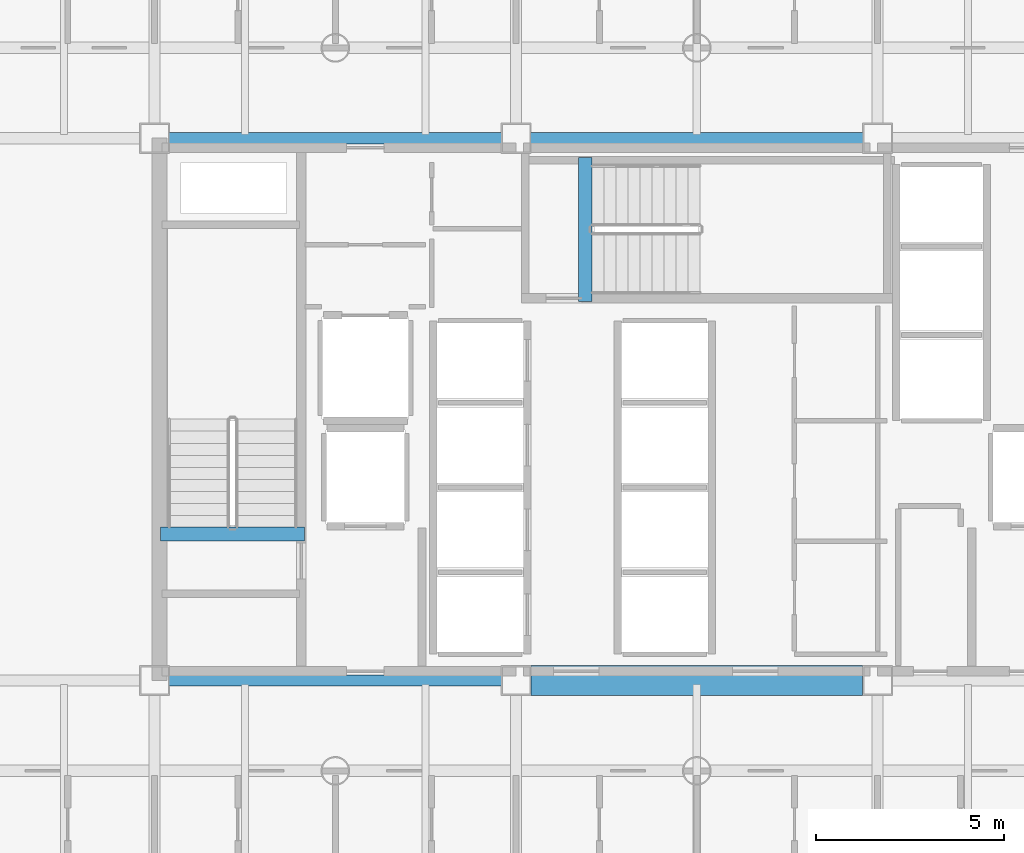
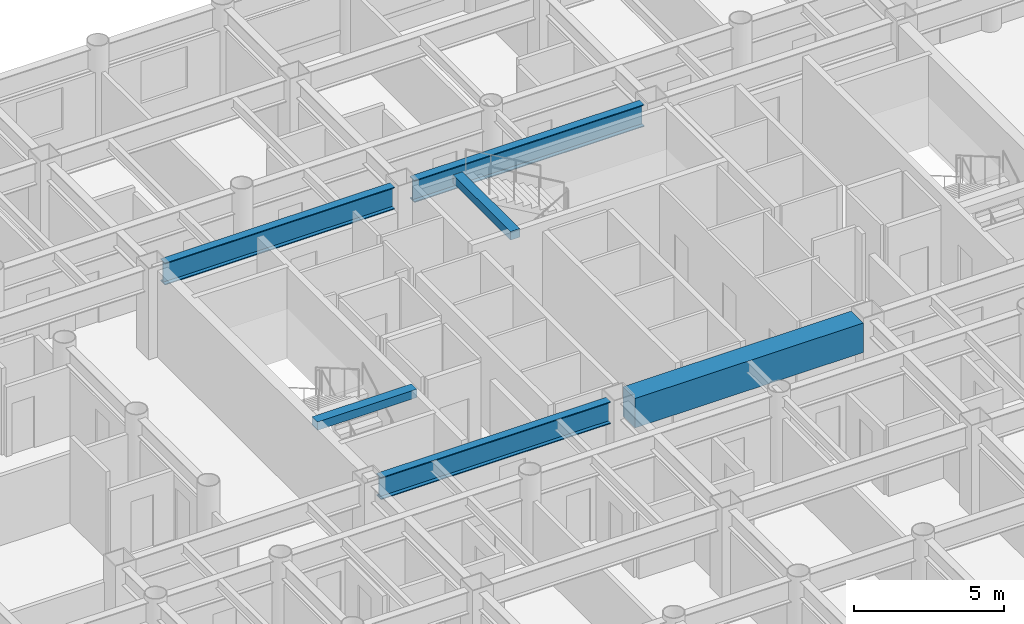
# One storey, part 5 of 21: 6 beams.
"""IFC4 building model written with IfcOpenShell, lengths in metres."""

from ifc_helpers import new_model, si_unit, direction, frame, origin, origin_2d, place, context, subcontext, project, spatial, rectangle, i_section, extrude, material, material_profile, profile_set, type_object, element, save


model = new_model("IFC4")

# Units and contexts
model_context = context("Model", 3, precision=1e-05, world=origin(), true_north=direction((0.0, 1.0)))
body_context = subcontext(model_context, "Body", "Model", "MODEL_VIEW")
ifc_project = project(units=[si_unit("LENGTHUNIT", "METRE"), si_unit("AREAUNIT", "SQUARE_METRE"), si_unit("VOLUMEUNIT", "CUBIC_METRE"), si_unit("PLANEANGLEUNIT", "RADIAN"), si_unit("MASSUNIT", "GRAM", prefix="KILO")], contexts=[model_context])

# Site, building, storey
site_placement = place(None, origin())
site = spatial("IfcSite", under=ifc_project, at=site_placement, CompositionType="ELEMENT")
building_placement = place(site_placement, origin())
building = spatial("IfcBuilding", under=site, at=building_placement, Name="Kallvorn Hotel Tower", CompositionType="ELEMENT")
storey_placement = place(building_placement, frame((0.0, 0.0, 81.800048828125)))
storey = spatial("IfcBuildingStorey", under=building, at=storey_placement, Name="L19", CompositionType="ELEMENT", Elevation=81.800048828125)

# Beams
ifc_material_1 = material(Name="Structural steel S355JR", Category="steel")
ifc_material_profile_1 = material_profile(ifc_material_1, i_section(OverallWidth=0.300048828125, OverallDepth=0.89990234375, WebThickness=0.0185546875, FlangeThickness=0.034912109375, at=origin_2d()), Name="HE 900 B")
ifc_profile_set_1 = profile_set([ifc_material_profile_1], Name="Structural steel S355JR")
beam_type_1 = type_object("IfcBeamType", Name="BM_HE900B", PredefinedType="BEAM", material=ifc_profile_set_1)
for number, where, z_axis, x_axis, name in (
    (1, (-14.02490234375, -7.199951171875, 3.070068359375), (1.0, 0.0, 0.0), (0.0, 1.0, 0.0), "L20 Primary X-Girder 34"),
    (2, (-14.02490234375, 7.199951171875, 3.070068359375), (1.0, 0.0, 0.0), (0.0, 1.0, 0.0), "L20 Primary X-Girder 38"),
):
    element("IfcBeam", number, at=place(storey_placement, frame(where, z_axis=z_axis, x_axis=x_axis)), inside=storey, type_object=beam_type_1, Name=name, PredefinedType="BEAM", context=body_context, shape_type="SweptSolid", body=[
        extrude(i_section(OverallWidth=0.300048828125, OverallDepth=0.89990234375, WebThickness=0.0185546875, FlangeThickness=0.034912109375, at=origin_2d()), origin(), (0.0, 0.0, 1.0), 8.849853515625),
    ])
beam_1_placement = place(storey_placement, frame((-4.425048828125, 7.199951171875, 3.070068359375), z_axis=(1.0, 0.0, 0.0), x_axis=(0.0, 1.0, 0.0)))
element("IfcBeam", 3, at=beam_1_placement, inside=storey, type_object=beam_type_1, Name="L20 Primary X-Girder 39", PredefinedType="BEAM", context=body_context, shape_type="SweptSolid", body=[
    extrude(i_section(OverallWidth=0.300048828125, OverallDepth=0.89990234375, WebThickness=0.0185546875, FlangeThickness=0.034912109375, at=origin_2d()), origin(), (0.0, 0.0, 1.0), 8.85009765625),
])
ifc_material_2 = material(Name="Concrete C50/60", Category="concrete")
ifc_material_profile_2 = material_profile(ifc_material_2, rectangle(XDim=0.360107421875, YDim=0.340087890625, at=origin_2d()), Name="RC 360x340")
ifc_profile_set_2 = profile_set([ifc_material_profile_2], Name="Concrete C50/60")
beam_type_2 = type_object("IfcBeamType", Name="BM_RC_400x360", PredefinedType="BEAM", material=ifc_profile_set_2)
beam_2_placement = place(storey_placement, frame((-10.419921875, -3.31005859375, 3.349853515625), z_axis=(-1.0, 0.0, 0.0), x_axis=(0.0, -1.0, 0.0)))
element("IfcBeam", 4, at=beam_2_placement, inside=storey, type_object=beam_type_2, Name="L20 Stair ST1 Arrival Trimmer Beam", PredefinedType="BEAM", context=body_context, shape_type="SweptSolid", body=[
    extrude(rectangle(XDim=0.360107421875, YDim=0.340087890625, at=origin_2d()), origin(), (0.0, 0.0, 1.0), 3.820068359375),
])
beam_3_placement = place(storey_placement, frame((-2.9599609375, 2.8701171875, 3.349853515625), z_axis=(0.0, 1.0, 0.0), x_axis=(-1.0, 0.0, 0.0)))
element("IfcBeam", 5, at=beam_3_placement, inside=storey, type_object=beam_type_2, Name="L20 Stair ST3 Arrival Trimmer Beam", PredefinedType="BEAM", context=body_context, shape_type="SweptSolid", body=[
    extrude(rectangle(XDim=0.360107421875, YDim=0.340087890625, at=origin_2d()), origin(), (0.0, 0.0, 1.0), 3.81982421875),
])
ifc_material_3 = material(Name="Concrete C50/60", Category="concrete")
ifc_material_profile_3 = material_profile(ifc_material_3, rectangle(XDim=0.800048828125, YDim=1.199951171875, at=origin_2d()), Name="RC 800x1200")
ifc_profile_set_3 = profile_set([ifc_material_profile_3], Name="Concrete C50/60")
beam_type_3 = type_object("IfcBeamType", Name="BM_RC_800x1200", PredefinedType="T_BEAM", material=ifc_profile_set_3)
beam_4_placement = place(storey_placement, frame((-4.39990234375, -7.199951171875, 2.919921875), z_axis=(1.0, 0.0, 0.0), x_axis=(0.0, 1.0, 0.0)))
element("IfcBeam", 6, at=beam_4_placement, inside=storey, type_object=beam_type_3, Name="L19 Core Coupling Beam South", PredefinedType="T_BEAM", context=body_context, shape_type="SweptSolid", body=[
    extrude(rectangle(XDim=0.800048828125, YDim=1.199951171875, at=origin_2d()), origin(), (0.0, 0.0, 1.0), 8.7998046875),
])

save(model, "model.ifc")
